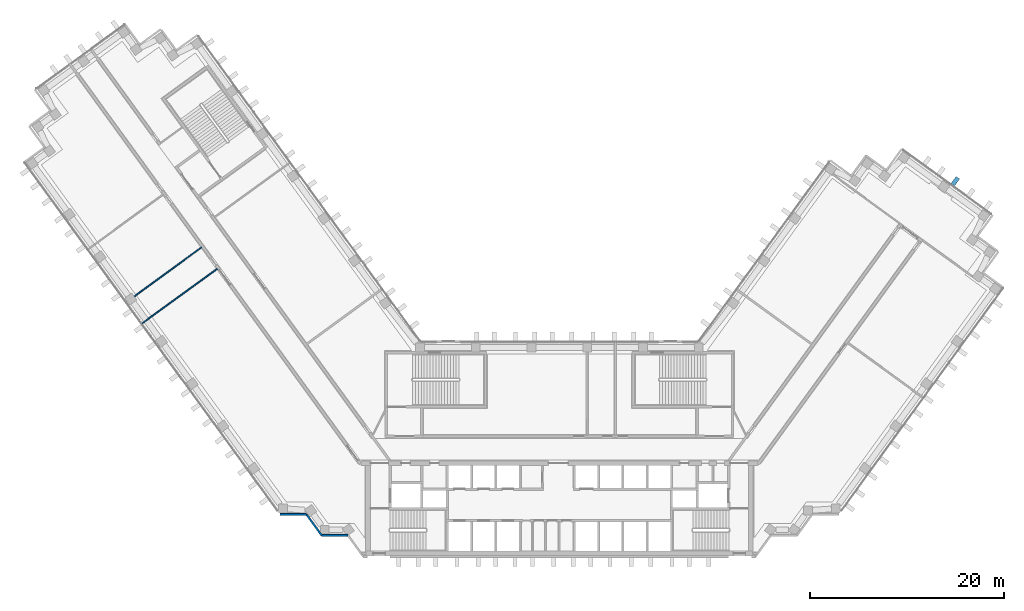
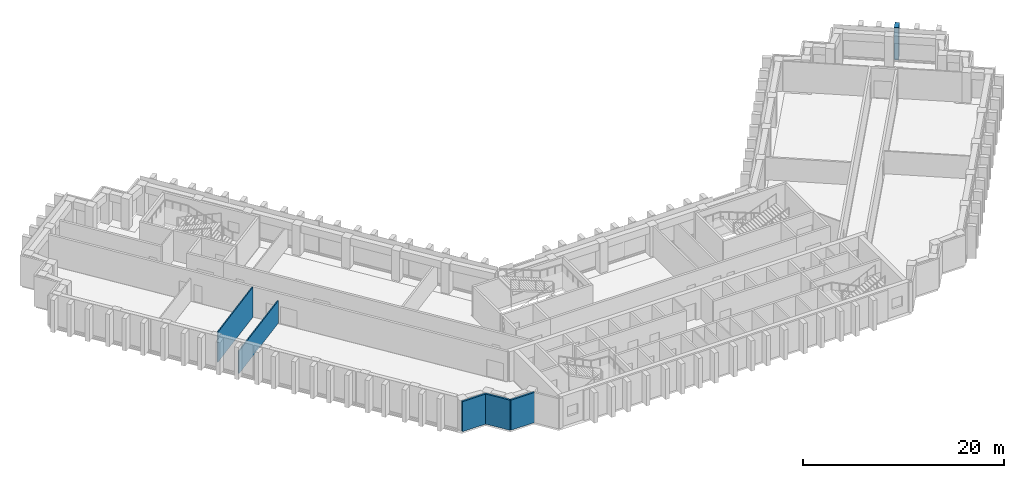
# One storey, part 4 of 12: 5 walls, 1 plate.
"""IFC4 building model written with IfcOpenShell, lengths in metres."""

from ifc_helpers import new_model, si_unit, direction, frame, frame_2d, origin, origin_2d, place, context, subcontext, project, spatial, rectangle, extrude, material, layer, layer_set, type_object, element, save


model = new_model("IFC4")

# Units and contexts
model_context = context("Model", 3, precision=1e-05, world=origin(), true_north=direction((0.0, 1.0)))
body_context = subcontext(model_context, "Body", "Model", "MODEL_VIEW")
ifc_project = project(units=[si_unit("LENGTHUNIT", "METRE"), si_unit("AREAUNIT", "SQUARE_METRE"), si_unit("VOLUMEUNIT", "CUBIC_METRE"), si_unit("PLANEANGLEUNIT", "RADIAN"), si_unit("MASSUNIT", "GRAM", prefix="KILO")], contexts=[model_context])

# Site, building, storey
site_placement = place(None, origin())
site = spatial("IfcSite", under=ifc_project, at=site_placement, CompositionType="ELEMENT")
building_placement = place(site_placement, origin())
building = spatial("IfcBuilding", under=site, at=building_placement, Name="Quipu Civic Tower", CompositionType="ELEMENT")
storey_placement = place(building_placement, frame((0.0, 0.0, 121.0)))
storey = spatial("IfcBuildingStorey", under=building, at=storey_placement, Name="L28", CompositionType="ELEMENT", Elevation=121.0)

# Plate
ifc_material_1 = material(Name="Precast concrete C40/50", Category="concrete")
plate_type = type_object("IfcPlateType", Name="Precast fin F1", PredefinedType="SHEET", material=ifc_material_1)
plate_placement = place(storey_placement, frame((40.872314453125, 27.6650390625, 0.080078125), z_axis=(0.0, 0.0, 1.0), x_axis=(-0.809017072762, 0.587785144401, 0.0)))
element("IfcPlate", 1, at=plate_placement, inside=storey, type_object=plate_type, Name="Precast fin F1 L28.25.3", PredefinedType="SHEET", context=body_context, shape_type="SweptSolid", body=[
    extrude(rectangle(XDim=0.449951171875, YDim=0.89990234375, at=origin_2d()), origin(), (0.0, 0.0, 1.0), 3.919921875),
])

# Walls
ifc_material_2 = material(Name="Gypsum plasterboard on light gauge framing")
ifc_layer = layer(ifc_material_2, 0.1201171875)
ifc_layer_set = layer_set([ifc_layer], Name="Gypsum plasterboard on light gauge framing")
wall_type_1 = type_object("IfcWallType", Name="Partition 120 plasterboard", PredefinedType="PARTITIONING", material=ifc_layer_set)
wall_1_placement = place(storey_placement, frame((-43.876220703125, 15.7734375, 0.0), z_axis=(0.0, 0.0, 1.0), x_axis=(0.807597163234, 0.589734535139, 0.0)))
element("IfcWall", 2, at=wall_1_placement, inside=storey, type_object=wall_type_1, Name="Partition P05", PredefinedType="PARTITIONING", context=body_context, shape_type="SweptSolid", body=[
    extrude(rectangle(XDim=8.59521484375, YDim=0.1201171875, at=frame_2d((4.297607421875, 0.0))), origin(), (0.0, 0.0, 1.0), 3.64990234375),
])
wall_2_placement = place(storey_placement, frame((-35.32421875, 18.624755859375, 0.0), z_axis=(0.0, 0.0, 1.0), x_axis=(-0.808998008689, -0.58781138296, 0.0)))
element("IfcWall", 3, at=wall_2_placement, inside=storey, type_object=wall_type_1, Name="Partition P10", PredefinedType="PARTITIONING", context=body_context, shape_type="SweptSolid", body=[
    extrude(rectangle(XDim=9.5498046875, YDim=0.1201171875, at=frame_2d((4.77490234375, 0.0))), origin(), (0.0, 0.0, 1.0), 2.75),
])
ifc_material_3 = material(Name="Precast concrete C40/50", Category="concrete")
wall_type_2 = type_object("IfcWallType", Name="Precast cladding wall", PredefinedType="SOLIDWALL", material=ifc_material_3)
wall_3_placement = place(storey_placement, frame((-28.829833984375, -6.71923828125, 0.0), z_axis=(0.0, 0.0, 1.0), x_axis=(1.0, 0.0, 0.0)))
element("IfcWall", 4, at=wall_3_placement, inside=storey, type_object=wall_type_2, Name="Precast cladding wall L28 12", PredefinedType="SOLIDWALL", context=body_context, shape_type="SweptSolid", body=[
    extrude(rectangle(XDim=2.699951171875, YDim=0.199951171875, at=frame_2d((1.35009765625, 0.0))), origin(), (0.0, 0.0, 1.0), 3.64990234375),
])
wall_4_placement = place(storey_placement, frame((-26.1201171875, -6.72412109375, 0.0), z_axis=(0.0, 0.0, 1.0), x_axis=(0.587720002413, -0.809064397168, 0.0)))
element("IfcWall", 5, at=wall_4_placement, inside=storey, type_object=wall_type_2, Name="Precast cladding wall L28 13", PredefinedType="SOLIDWALL", context=body_context, shape_type="SweptSolid", body=[
    extrude(rectangle(XDim=2.7001953125, YDim=0.199951171875, at=frame_2d((1.35009765625, 0.0))), origin(), (0.0, 0.0, 1.0), 3.64990234375),
])
wall_5_placement = place(storey_placement, frame((-24.542724609375, -8.90380859375, 0.0), z_axis=(0.0, 0.0, 1.0), x_axis=(1.0, 0.0, 0.0)))
element("IfcWall", 6, at=wall_5_placement, inside=storey, type_object=wall_type_2, Name="Precast cladding wall L28 14", PredefinedType="SOLIDWALL", context=body_context, shape_type="SweptSolid", body=[
    extrude(rectangle(XDim=2.699951171875, YDim=0.199951171875, at=frame_2d((1.35009765625, 0.0))), origin(), (0.0, 0.0, 1.0), 3.64990234375),
])

save(model, "model.ifc")
